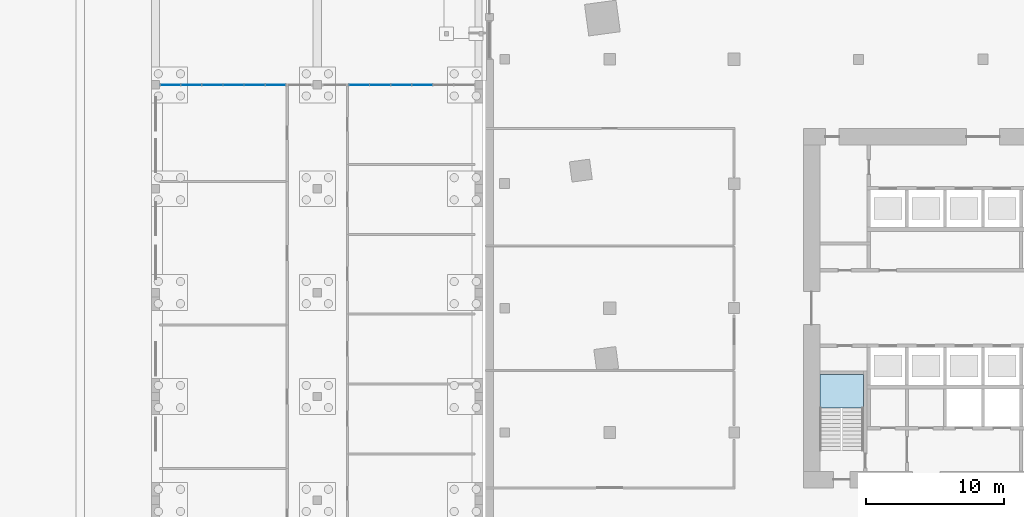
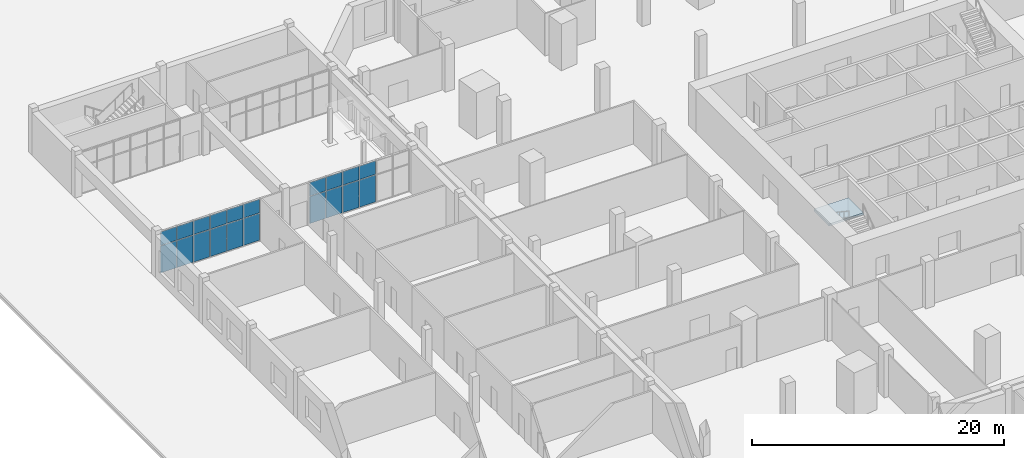
# One storey, part 18 of 42: 20 plates, 1 slab, 3 elements without a shape of their own.
"""IFC4 building model written with IfcOpenShell, lengths in metres."""

from ifc_helpers import new_model, si_unit, direction, frame, origin, origin_2d, place, context, subcontext, project, spatial, polyline, rectangle, outline, extrude, material, layer, layer_set, type_object, element, aggregate, save


model = new_model("IFC4")

# Units and contexts
model_context = context("Model", 3, precision=1e-05, world=origin(), true_north=direction((0.0, 1.0)))
body_context = subcontext(model_context, "Body", "Model", "MODEL_VIEW")
ifc_project = project(units=[si_unit("LENGTHUNIT", "METRE"), si_unit("AREAUNIT", "SQUARE_METRE"), si_unit("VOLUMEUNIT", "CUBIC_METRE"), si_unit("PLANEANGLEUNIT", "RADIAN"), si_unit("MASSUNIT", "GRAM", prefix="KILO")], contexts=[model_context])

# Site, building, storey
site_placement = place(None, origin())
site = spatial("IfcSite", under=ifc_project, at=site_placement, CompositionType="ELEMENT")
building_placement = place(site_placement, origin())
building = spatial("IfcBuilding", under=site, at=building_placement, Name="Dilmun Exchange Tower", CompositionType="ELEMENT")
storey_placement = place(building_placement, origin())
storey = spatial("IfcBuildingStorey", under=building, at=storey_placement, Name="L00", CompositionType="ELEMENT", Elevation=0.0)

# Stair, slab
ifc_material_1 = material(Name="Concrete C40/50", Category="concrete")
stair_type = type_object("IfcStairType", Name="Exit stair 1500 half-turn", PredefinedType="HALF_TURN_STAIR", material=ifc_material_1)
stair_placement = place(storey_placement, origin())
stair = element("IfcStair", 1, at=stair_placement, inside=storey, type_object=stair_type, Name="L00 Protected exit stair ST2", PredefinedType="HALF_TURN_STAIR")
ifc_layer_1 = layer(ifc_material_1, 0.199951171875)
ifc_layer_set_1 = layer_set([ifc_layer_1], Name="Concrete C40/50")
slab_type = type_object("IfcSlabType", Name="Exit stair landing 200", PredefinedType="LANDING", material=ifc_layer_set_1)
slab_placement = place(storey_placement, frame((0.0, 0.0, 2.050048828125)))
slab = element("IfcSlab", 2, at=slab_placement, type_object=slab_type, Name="ST2 landing 1", PredefinedType="LANDING", context=body_context, shape_type="SweptSolid", body=[
    extrude(outline(polyline([(-8.64990234375, -7.219970703125), (-8.64990234375, -4.800048828125), (-11.800048828125, -4.800048828125), (-11.800048828125, -7.219970703125), (-8.64990234375, -7.219970703125)])), origin(), (0.0, 0.0, 1.0), 0.199951171875),
])
aggregate(stair, [slab])

# Curtain wall, plates
ifc_material_2 = material(Name="Aluminium", Category="aluminium")
curtain_wall_type = type_object("IfcCurtainWallType", Name="School arcade glazing", PredefinedType="NOTDEFINED", material=ifc_material_2)
curtain_wall_1_placement = place(storey_placement, origin())
curtain_wall_1 = element("IfcCurtainWall", 3, at=curtain_wall_1_placement, inside=storey, type_object=curtain_wall_type, Name="School arcade glazing", PredefinedType="NOTDEFINED")
ifc_material_3 = material(Name="Clear low-emissivity glass in aluminium frame", Category="aluminium")
ifc_layer_2 = layer(ifc_material_3, 0.028076171875)
ifc_layer_set_2 = layer_set([ifc_layer_2], Name="Clear low-emissivity glass in aluminium frame")
plate_type = type_object("IfcPlateType", Name="School arcade glazing panel 28", PredefinedType="CURTAIN_PANEL", material=ifc_layer_set_2)
plate_1_placement = place(storey_placement, frame((-58.7724609375, 16.14990234375, 0.06005859375), z_axis=(0.0, 0.0, 1.0), x_axis=(1.0, 0.0, 0.0)))
plate_1 = element("IfcPlate", 4, at=plate_1_placement, type_object=plate_type, Name="SCH-CW1 panel 1.1", PredefinedType="CURTAIN_PANEL", context=body_context, shape_type="SweptSolid", body=[
    extrude(rectangle(XDim=1.43505859375, YDim=0.028076171875, at=origin_2d()), origin(), (0.0, 0.0, 1.0), 2.610107421875),
])
plate_2_placement = place(storey_placement, frame((-58.7724609375, 16.14990234375, 2.72998046875), z_axis=(0.0, 0.0, 1.0), x_axis=(1.0, 0.0, 0.0)))
plate_2 = element("IfcPlate", 5, at=plate_2_placement, type_object=plate_type, Name="SCH-CW1 panel 1.2", PredefinedType="CURTAIN_PANEL", context=body_context, shape_type="SweptSolid", body=[
    extrude(rectangle(XDim=1.43505859375, YDim=0.028076171875, at=origin_2d()), origin(), (0.0, 0.0, 1.0), 1.31005859375),
])
plate_3_placement = place(storey_placement, frame((-57.262451171875, 16.14990234375, 0.06005859375), z_axis=(0.0, 0.0, 1.0), x_axis=(1.0, 0.0, 0.0)))
plate_3 = element("IfcPlate", 6, at=plate_3_placement, type_object=plate_type, Name="SCH-CW1 panel 2.1", PredefinedType="CURTAIN_PANEL", context=body_context, shape_type="SweptSolid", body=[
    extrude(rectangle(XDim=1.465087890625, YDim=0.028076171875, at=origin_2d()), origin(), (0.0, 0.0, 1.0), 2.610107421875),
])
plate_4_placement = place(storey_placement, frame((-57.262451171875, 16.14990234375, 2.72998046875), z_axis=(0.0, 0.0, 1.0), x_axis=(1.0, 0.0, 0.0)))
plate_4 = element("IfcPlate", 7, at=plate_4_placement, type_object=plate_type, Name="SCH-CW1 panel 2.2", PredefinedType="CURTAIN_PANEL", context=body_context, shape_type="SweptSolid", body=[
    extrude(rectangle(XDim=1.465087890625, YDim=0.028076171875, at=origin_2d()), origin(), (0.0, 0.0, 1.0), 1.31005859375),
])
plate_5_placement = place(storey_placement, frame((-55.737548828125, 16.14990234375, 0.06005859375), z_axis=(0.0, 0.0, 1.0), x_axis=(1.0, 0.0, 0.0)))
plate_5 = element("IfcPlate", 8, at=plate_5_placement, type_object=plate_type, Name="SCH-CW1 panel 3.1", PredefinedType="CURTAIN_PANEL", context=body_context, shape_type="SweptSolid", body=[
    extrude(rectangle(XDim=1.465087890625, YDim=0.028076171875, at=origin_2d()), origin(), (0.0, 0.0, 1.0), 2.610107421875),
])
plate_6_placement = place(storey_placement, frame((-55.737548828125, 16.14990234375, 2.72998046875), z_axis=(0.0, 0.0, 1.0), x_axis=(1.0, 0.0, 0.0)))
plate_6 = element("IfcPlate", 9, at=plate_6_placement, type_object=plate_type, Name="SCH-CW1 panel 3.2", PredefinedType="CURTAIN_PANEL", context=body_context, shape_type="SweptSolid", body=[
    extrude(rectangle(XDim=1.465087890625, YDim=0.028076171875, at=origin_2d()), origin(), (0.0, 0.0, 1.0), 1.31005859375),
])
plate_7_placement = place(storey_placement, frame((-54.21240234375, 16.14990234375, 0.06005859375), z_axis=(0.0, 0.0, 1.0), x_axis=(1.0, 0.0, 0.0)))
plate_7 = element("IfcPlate", 10, at=plate_7_placement, type_object=plate_type, Name="SCH-CW1 panel 4.1", PredefinedType="CURTAIN_PANEL", context=body_context, shape_type="SweptSolid", body=[
    extrude(rectangle(XDim=1.465087890625, YDim=0.028076171875, at=origin_2d()), origin(), (0.0, 0.0, 1.0), 2.610107421875),
])
plate_8_placement = place(storey_placement, frame((-54.21240234375, 16.14990234375, 2.72998046875), z_axis=(0.0, 0.0, 1.0), x_axis=(1.0, 0.0, 0.0)))
plate_8 = element("IfcPlate", 11, at=plate_8_placement, type_object=plate_type, Name="SCH-CW1 panel 4.2", PredefinedType="CURTAIN_PANEL", context=body_context, shape_type="SweptSolid", body=[
    extrude(rectangle(XDim=1.465087890625, YDim=0.028076171875, at=origin_2d()), origin(), (0.0, 0.0, 1.0), 1.31005859375),
])
plate_9_placement = place(storey_placement, frame((-52.6875, 16.14990234375, 0.06005859375), z_axis=(0.0, 0.0, 1.0), x_axis=(1.0, 0.0, 0.0)))
plate_9 = element("IfcPlate", 12, at=plate_9_placement, type_object=plate_type, Name="SCH-CW1 panel 5.1", PredefinedType="CURTAIN_PANEL", context=body_context, shape_type="SweptSolid", body=[
    extrude(rectangle(XDim=1.465087890625, YDim=0.028076171875, at=origin_2d()), origin(), (0.0, 0.0, 1.0), 2.610107421875),
])
plate_10_placement = place(storey_placement, frame((-52.6875, 16.14990234375, 2.72998046875), z_axis=(0.0, 0.0, 1.0), x_axis=(1.0, 0.0, 0.0)))
plate_10 = element("IfcPlate", 13, at=plate_10_placement, type_object=plate_type, Name="SCH-CW1 panel 5.2", PredefinedType="CURTAIN_PANEL", context=body_context, shape_type="SweptSolid", body=[
    extrude(rectangle(XDim=1.465087890625, YDim=0.028076171875, at=origin_2d()), origin(), (0.0, 0.0, 1.0), 1.31005859375),
])
plate_11_placement = place(storey_placement, frame((-51.177490234375, 16.14990234375, 0.06005859375), z_axis=(0.0, 0.0, 1.0), x_axis=(1.0, 0.0, 0.0)))
plate_11 = element("IfcPlate", 14, at=plate_11_placement, type_object=plate_type, Name="SCH-CW1 panel 6.1", PredefinedType="CURTAIN_PANEL", context=body_context, shape_type="SweptSolid", body=[
    extrude(rectangle(XDim=1.43505859375, YDim=0.028076171875, at=origin_2d()), origin(), (0.0, 0.0, 1.0), 2.610107421875),
])
plate_12_placement = place(storey_placement, frame((-51.177490234375, 16.14990234375, 2.72998046875), z_axis=(0.0, 0.0, 1.0), x_axis=(1.0, 0.0, 0.0)))
plate_12 = element("IfcPlate", 15, at=plate_12_placement, type_object=plate_type, Name="SCH-CW1 panel 6.2", PredefinedType="CURTAIN_PANEL", context=body_context, shape_type="SweptSolid", body=[
    extrude(rectangle(XDim=1.43505859375, YDim=0.028076171875, at=origin_2d()), origin(), (0.0, 0.0, 1.0), 1.31005859375),
])
aggregate(curtain_wall_1, [plate_1, plate_2, plate_3, plate_4, plate_5, plate_6, plate_7, plate_8, plate_9, plate_10, plate_11, plate_12])

curtain_wall_2_placement = place(storey_placement, origin())
curtain_wall_2 = element("IfcCurtainWall", 16, at=curtain_wall_2_placement, inside=storey, type_object=curtain_wall_type, Name="School arcade glazing", PredefinedType="NOTDEFINED")
plate_13_placement = place(storey_placement, frame((-45.12255859375, 16.14990234375, 0.06005859375), z_axis=(0.0, 0.0, 1.0), x_axis=(1.0, 0.0, 0.0)))
plate_13 = element("IfcPlate", 17, at=plate_13_placement, type_object=plate_type, Name="SCH-CW1 panel 1.1", PredefinedType="CURTAIN_PANEL", context=body_context, shape_type="SweptSolid", body=[
    extrude(rectangle(XDim=1.43505859375, YDim=0.028076171875, at=origin_2d()), origin(), (0.0, 0.0, 1.0), 2.610107421875),
])
plate_14_placement = place(storey_placement, frame((-45.12255859375, 16.14990234375, 2.72998046875), z_axis=(0.0, 0.0, 1.0), x_axis=(1.0, 0.0, 0.0)))
plate_14 = element("IfcPlate", 18, at=plate_14_placement, type_object=plate_type, Name="SCH-CW1 panel 1.2", PredefinedType="CURTAIN_PANEL", context=body_context, shape_type="SweptSolid", body=[
    extrude(rectangle(XDim=1.43505859375, YDim=0.028076171875, at=origin_2d()), origin(), (0.0, 0.0, 1.0), 1.31005859375),
])
plate_15_placement = place(storey_placement, frame((-43.612548828125, 16.14990234375, 0.06005859375), z_axis=(0.0, 0.0, 1.0), x_axis=(1.0, 0.0, 0.0)))
plate_15 = element("IfcPlate", 19, at=plate_15_placement, type_object=plate_type, Name="SCH-CW1 panel 2.1", PredefinedType="CURTAIN_PANEL", context=body_context, shape_type="SweptSolid", body=[
    extrude(rectangle(XDim=1.465087890625, YDim=0.028076171875, at=origin_2d()), origin(), (0.0, 0.0, 1.0), 2.610107421875),
])
plate_16_placement = place(storey_placement, frame((-43.612548828125, 16.14990234375, 2.72998046875), z_axis=(0.0, 0.0, 1.0), x_axis=(1.0, 0.0, 0.0)))
plate_16 = element("IfcPlate", 20, at=plate_16_placement, type_object=plate_type, Name="SCH-CW1 panel 2.2", PredefinedType="CURTAIN_PANEL", context=body_context, shape_type="SweptSolid", body=[
    extrude(rectangle(XDim=1.465087890625, YDim=0.028076171875, at=origin_2d()), origin(), (0.0, 0.0, 1.0), 1.31005859375),
])
plate_17_placement = place(storey_placement, frame((-42.08740234375, 16.14990234375, 0.06005859375), z_axis=(0.0, 0.0, 1.0), x_axis=(1.0, 0.0, 0.0)))
plate_17 = element("IfcPlate", 21, at=plate_17_placement, type_object=plate_type, Name="SCH-CW1 panel 3.1", PredefinedType="CURTAIN_PANEL", context=body_context, shape_type="SweptSolid", body=[
    extrude(rectangle(XDim=1.465087890625, YDim=0.028076171875, at=origin_2d()), origin(), (0.0, 0.0, 1.0), 2.610107421875),
])
plate_18_placement = place(storey_placement, frame((-42.08740234375, 16.14990234375, 2.72998046875), z_axis=(0.0, 0.0, 1.0), x_axis=(1.0, 0.0, 0.0)))
plate_18 = element("IfcPlate", 22, at=plate_18_placement, type_object=plate_type, Name="SCH-CW1 panel 3.2", PredefinedType="CURTAIN_PANEL", context=body_context, shape_type="SweptSolid", body=[
    extrude(rectangle(XDim=1.465087890625, YDim=0.028076171875, at=origin_2d()), origin(), (0.0, 0.0, 1.0), 1.31005859375),
])
plate_19_placement = place(storey_placement, frame((-40.5625, 16.14990234375, 0.06005859375), z_axis=(0.0, 0.0, 1.0), x_axis=(1.0, 0.0, 0.0)))
plate_19 = element("IfcPlate", 23, at=plate_19_placement, type_object=plate_type, Name="SCH-CW1 panel 4.1", PredefinedType="CURTAIN_PANEL", context=body_context, shape_type="SweptSolid", body=[
    extrude(rectangle(XDim=1.465087890625, YDim=0.028076171875, at=origin_2d()), origin(), (0.0, 0.0, 1.0), 2.610107421875),
])
plate_20_placement = place(storey_placement, frame((-40.5625, 16.14990234375, 2.72998046875), z_axis=(0.0, 0.0, 1.0), x_axis=(1.0, 0.0, 0.0)))
plate_20 = element("IfcPlate", 24, at=plate_20_placement, type_object=plate_type, Name="SCH-CW1 panel 4.2", PredefinedType="CURTAIN_PANEL", context=body_context, shape_type="SweptSolid", body=[
    extrude(rectangle(XDim=1.465087890625, YDim=0.028076171875, at=origin_2d()), origin(), (0.0, 0.0, 1.0), 1.31005859375),
])
aggregate(curtain_wall_2, [plate_13, plate_14, plate_15, plate_16, plate_17, plate_18, plate_19, plate_20])

save(model, "model.ifc")
